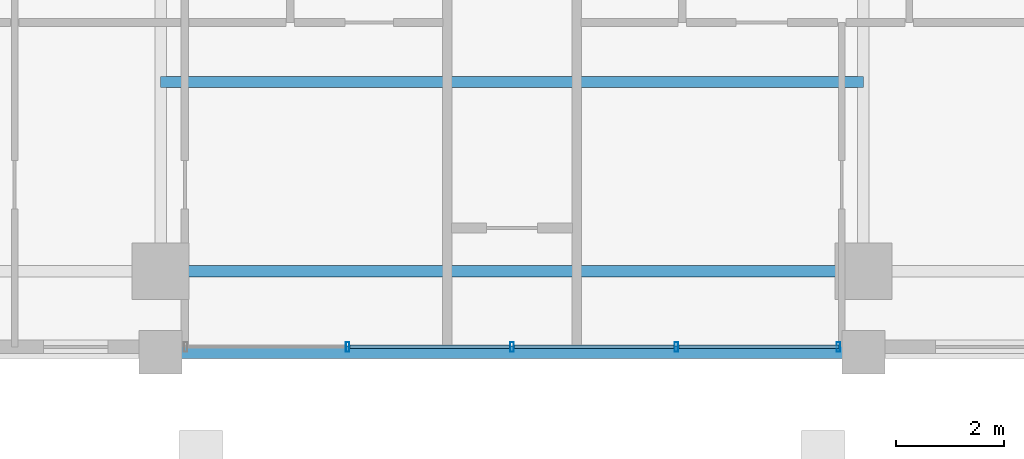
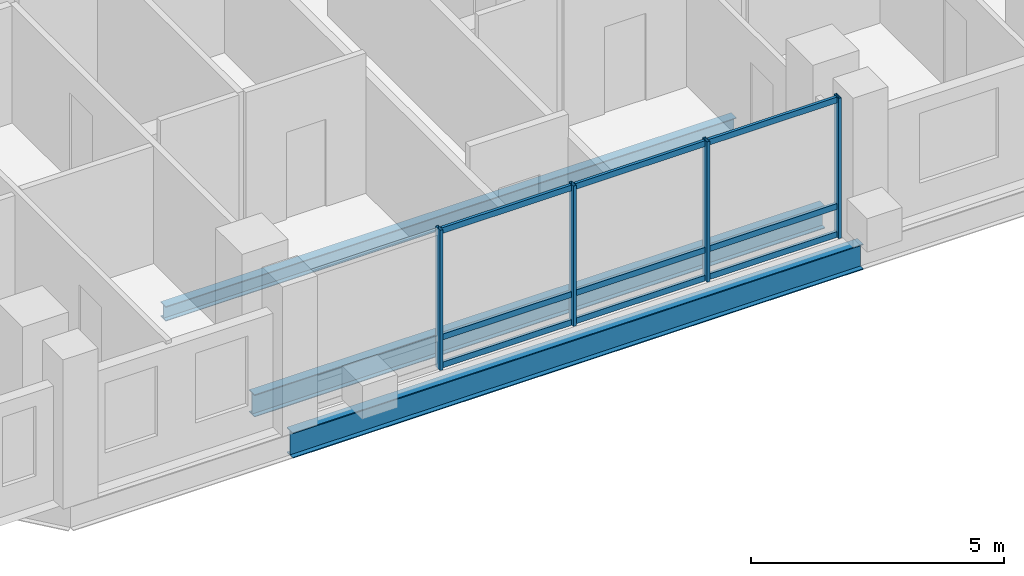
# One storey, part 4 of 24: 13 members, 3 beams, 1 element without a shape of its own.
"""IFC4 building model written with IfcOpenShell, lengths in metres."""

import ifcopenshell
import ifcopenshell.guid

model = None  # the IFC model being written
_history = None  # IfcOwnerHistory: only IFC2X3 demands one
_inside = {}  # id of a spatial element -> (the spatial element, [elements in it])
_under = {}  # id of a project, library or spatial element -> (it, [spatial elements below it])
_declared = {}  # id of a project -> (the project, [libraries it declares])
_typed = {}  # id of a type object -> (the type object, [elements of that type])
_made_of = {}  # id of a material, layer set ... -> (it, [elements and type objects made of it])


def new_model(schema):
    """Start an empty IFC model of exactly this schema.

    Asked for "IFC4X3", IfcOpenShell would pick the latest addendum, in which some entities
    have other attributes; the version numbers below select the first issue.
    IFC2X3 requires an IfcOwnerHistory on every rooted entity: one is made here for all.
    """
    global model, _history
    if schema == "IFC4X3":
        model = ifcopenshell.file(schema_version=(4, 3, 0, 0))
    else:
        model = ifcopenshell.file(schema=schema)
    _inside.clear()
    _under.clear()
    _declared.clear()
    _typed.clear()
    _made_of.clear()
    _history = None
    if model.schema == "IFC2X3":
        org = make("IfcOrganization", Name="unknown")
        user = make(
            "IfcPersonAndOrganization",
            ThePerson=make("IfcPerson", FamilyName="unknown"),
            TheOrganization=org,
        )
        app = make(
            "IfcApplication",
            ApplicationDeveloper=org,
            Version="unknown",
            ApplicationFullName="unknown",
            ApplicationIdentifier="unknown",
        )
        _history = make(
            "IfcOwnerHistory",
            OwningUser=user,
            OwningApplication=app,
            ChangeAction="ADDED",
            CreationDate=0,
        )
    return model


def make(cls, **values):
    """One entity of the class cls with the attributes given. An attribute that is None is left unset."""
    return model.create_entity(
        cls, **{name: value for name, value in values.items() if value is not None}
    )


def rooted(cls, **values):
    """An entity with a GlobalId (a new one), such as an element, a storey or a relation."""
    return make(cls, GlobalId=ifcopenshell.guid.new(), OwnerHistory=_history, **values)


def si_unit(unit_type, name, prefix=None):
    """IfcSIUnit, for example si_unit("LENGTHUNIT", "METRE", prefix="MILLI")."""
    return make("IfcSIUnit", UnitType=unit_type, Prefix=prefix, Name=name)


def assignment(units):
    """IfcUnitAssignment: the units of a project."""
    return None if units is None else make("IfcUnitAssignment", Units=units)


def point(xyz):
    """IfcCartesianPoint."""
    return None if xyz is None else make("IfcCartesianPoint", Coordinates=xyz)


def direction(xyz):
    """IfcDirection."""
    return None if xyz is None else make("IfcDirection", DirectionRatios=xyz)


def frame(location, z_axis=None, x_axis=None):
    """IfcAxis2Placement3D, a coordinate frame: its origin and axes. An axis left out is left unset."""
    return make(
        "IfcAxis2Placement3D",
        Location=point(location),
        Axis=direction(z_axis),
        RefDirection=direction(x_axis),
    )


def frame_2d(location, x_axis=None):
    """IfcAxis2Placement2D, a coordinate frame in the plane: its origin and x axis."""
    return make(
        "IfcAxis2Placement2D", Location=point(location), RefDirection=direction(x_axis)
    )


def origin():
    """The frame at (0, 0, 0) with its axes left unset."""
    return frame((0.0, 0.0, 0.0))


def origin_2d():
    """The frame at (0, 0) in the plane with its x axis left unset."""
    return frame_2d((0.0, 0.0))


def place(relative_to, where):
    """IfcLocalPlacement: puts the frame where relative to a parent placement (None: the world)."""
    return make(
        "IfcLocalPlacement", PlacementRelTo=relative_to, RelativePlacement=where
    )


def context(
    kind, dimensions, precision=None, world=None, true_north=None, identifier=None
):
    """IfcGeometricRepresentationContext, for example the 3D "Model" context."""
    return make(
        "IfcGeometricRepresentationContext",
        ContextIdentifier=identifier,
        ContextType=kind,
        CoordinateSpaceDimension=dimensions,
        Precision=precision,
        WorldCoordinateSystem=world,
        TrueNorth=true_north,
    )


def subcontext(parent, identifier, kind, view, scale=None):
    """IfcGeometricRepresentationSubContext, for example "Body" below "Model"."""
    return make(
        "IfcGeometricRepresentationSubContext",
        ContextIdentifier=identifier,
        ContextType=kind,
        ParentContext=parent,
        TargetScale=scale,
        TargetView=view,
    )


def project(units=None, contexts=None):
    """IfcProject with its units and contexts."""
    return rooted(
        "IfcProject",
        Name="project",
        RepresentationContexts=contexts,
        UnitsInContext=assignment(units),
    )


def spatial(cls, under=None, at=None, **own):
    """A site, building, storey or space (cls), placed at a placement, below another one or the project."""
    s = rooted(cls, ObjectPlacement=at, **own)
    if under is not None:
        _under.setdefault(under.id(), (under, []))[1].append(s)
    return s


def profile(cls, at=None, kind="AREA", **sizes):
    """A parametric profile (cls). Its sizes go by their IFC names, for example OverallWidth=200.0."""
    return make(cls, ProfileType=kind, Position=at, **sizes)


def hollow_rectangle(**sizes):
    """IfcRectangleHollowProfileDef."""
    return profile("IfcRectangleHollowProfileDef", **sizes)


def i_section(**sizes):
    """IfcIShapeProfileDef."""
    return profile("IfcIShapeProfileDef", **sizes)


def extrude(swept, where, along, depth):
    """IfcExtrudedAreaSolid: the profile swept, set in the frame where, extruded along a direction by depth."""
    return make(
        "IfcExtrudedAreaSolid",
        SweptArea=swept,
        Position=where,
        ExtrudedDirection=direction(along),
        Depth=depth,
    )


def shape(context_of_items, identifier, shape_type, items):
    """IfcShapeRepresentation: the items that make up one representation, for example the "Body"."""
    return make(
        "IfcShapeRepresentation",
        ContextOfItems=context_of_items,
        RepresentationIdentifier=identifier,
        RepresentationType=shape_type,
        Items=items,
    )


def material(Name=None, Category=None):
    """IfcMaterial."""
    return make("IfcMaterial", Name=Name, Category=Category)


def layer(
    of_material, thickness, ventilated=None, Name=None, Category=None, Priority=None
):
    """IfcMaterialLayer: one layer of a wall or slab, of a material (None: an air gap)."""
    return make(
        "IfcMaterialLayer",
        Material=of_material,
        LayerThickness=thickness,
        IsVentilated=ventilated,
        Name=Name,
        Category=Category,
        Priority=Priority,
    )


def layer_set(layers, Name=None):
    """IfcMaterialLayerSet."""
    return make("IfcMaterialLayerSet", MaterialLayers=layers, LayerSetName=Name)


def material_profile(
    of_material, cross_section, Name=None, Category=None, Priority=None
):
    """IfcMaterialProfile: a cross section and its material."""
    return make(
        "IfcMaterialProfile",
        Name=Name,
        Material=of_material,
        Profile=cross_section,
        Priority=Priority,
        Category=Category,
    )


def profile_set(profiles, Name=None, composite=None):
    """IfcMaterialProfileSet."""
    return make(
        "IfcMaterialProfileSet",
        Name=Name,
        MaterialProfiles=profiles,
        CompositeProfile=composite,
    )


def made_of(thing, what):
    """Note that an element or type object is made of a material, layer set ...; save() writes the relation."""
    if what is not None:
        _made_of.setdefault(what.id(), (what, []))[1].append(thing)
    return thing


def type_object(cls, material=None, **own):
    """A type object (cls), such as IfcWallType, which elements share."""
    return made_of(rooted(cls, **own), material)


def element(
    cls,
    number,
    at=None,
    inside=None,
    cuts=None,
    type_object=None,
    material=None,
    context=None,
    identifier="Body",
    shape_type=None,
    held_by="IfcProductDefinitionShape",
    body=None,
    shapes=None,
    **own,
):
    """One element of the class cls, such as IfcWall. Its Tag is "e" and its number.

    at: its placement. inside: the storey or other place that contains it. cuts: it is an
    opening in that element (IfcRelVoidsElement). A single representation is given by context,
    identifier, shape_type and body (its items); several are given by shapes. held_by: the class
    of the entity that holds the representations. save() writes the other relations.
    """
    e = rooted(cls, Tag="e%d" % number, ObjectPlacement=at, **own)
    if body is not None:
        shapes = [shape(context, identifier, shape_type, body)]
    if shapes is not None:
        e.Representation = make(held_by, Representations=shapes)
    if inside is not None:
        _inside.setdefault(inside.id(), (inside, []))[1].append(e)
    if cuts is not None:
        rooted(
            "IfcRelVoidsElement", RelatingBuildingElement=cuts, RelatedOpeningElement=e
        )
    if type_object is not None:
        _typed.setdefault(type_object.id(), (type_object, []))[1].append(e)
    return made_of(e, material)


def aggregate(whole, parts):
    """IfcRelAggregates: a whole, such as a stair, and the parts it consists of."""
    return rooted("IfcRelAggregates", RelatingObject=whole, RelatedObjects=parts)


def save(model, path):
    """Write the relations noted so far, then the file.

    IfcRelAggregates (storeys below a building ...), IfcRelContainedInSpatialStructure (elements
    in a storey), IfcRelDefinesByType, IfcRelAssociatesMaterial and IfcRelDeclares: one each for
    every whole, place, type object, material and project.
    """
    for whole, parts in _under.values():
        aggregate(whole, parts)
    for where, things in _inside.values():
        rooted(
            "IfcRelContainedInSpatialStructure",
            RelatedElements=things,
            RelatingStructure=where,
        )
    for kind, things in _typed.values():
        rooted("IfcRelDefinesByType", RelatedObjects=things, RelatingType=kind)
    for what, things in _made_of.values():
        rooted("IfcRelAssociatesMaterial", RelatedObjects=things, RelatingMaterial=what)
    for by, libraries in _declared.values():
        rooted("IfcRelDeclares", RelatingContext=by, RelatedDefinitions=libraries)
    model.write(path)


model = new_model("IFC4")

# Units and contexts
model_context = context("Model", 3, precision=1e-05, world=origin(), true_north=direction((0.0, 1.0)))
body_context = subcontext(model_context, "Body", "Model", "MODEL_VIEW")
ifc_project = project(units=[si_unit("LENGTHUNIT", "METRE"), si_unit("AREAUNIT", "SQUARE_METRE"), si_unit("VOLUMEUNIT", "CUBIC_METRE"), si_unit("PLANEANGLEUNIT", "RADIAN"), si_unit("MASSUNIT", "GRAM", prefix="KILO")], contexts=[model_context])

# Site, building, storey
site_placement = place(None, origin())
site = spatial("IfcSite", under=ifc_project, at=site_placement, CompositionType="ELEMENT")
building_placement = place(site_placement, origin())
building = spatial("IfcBuilding", under=site, at=building_placement, Name="Barlavira Tower and Art Museum", CompositionType="ELEMENT")
storey_placement = place(building_placement, frame((0.0, 0.0, 201.60009765625)))
storey = spatial("IfcBuildingStorey", under=building, at=storey_placement, Name="L52", CompositionType="ELEMENT", Elevation=201.60009765625)

# Curtain wall, members
ifc_material_1 = material(Name="Low-iron coastal laminated glass", Category="glass")
ifc_layer = layer(ifc_material_1, 0.199951171875, Name="Low-iron coastal laminated glass")
ifc_layer_set = layer_set([ifc_layer], Name="Low-iron coastal laminated glass")
curtain_wall_type = type_object("IfcCurtainWallType", Name="Pale-Metal Unitised Curtain Wall Zone 3", PredefinedType="NOTDEFINED", material=ifc_layer_set)
curtain_wall_placement = place(storey_placement, origin())
curtain_wall = element("IfcCurtainWall", 1, at=curtain_wall_placement, inside=storey, type_object=curtain_wall_type, Name="L52 Curtain Wall CW3-L52-S-B3", PredefinedType="NOTDEFINED")
ifc_material_2 = material(Name="Pale anodised aluminium", Category="aluminium")
ifc_material_profile_1 = material_profile(ifc_material_2, hollow_rectangle(XDim=0.06494140625, YDim=0.179931640625, WallThickness=0.00390625, at=origin_2d()), Name="ALU-MULL 65x180x4")
ifc_profile_set_1 = profile_set([ifc_material_profile_1], Name="Pale anodised aluminium")
member_type_1 = type_object("IfcMemberType", Name="Curtain Wall Pale-Metal Mullion 65x180", PredefinedType="MULLION", material=ifc_profile_set_1)
member_1_placement = place(storey_placement, frame((-3.0400390625, -21.39990234375, 0.0), z_axis=(0.0, 0.0, 1.0), x_axis=(1.0, 0.0, 0.0)))
member_1 = element("IfcMember", 2, at=member_1_placement, type_object=member_type_1, Name="CW3-L52-S-B3 Mullion 1", PredefinedType="MULLION", context=body_context, shape_type="SweptSolid", body=[
    extrude(hollow_rectangle(XDim=0.06494140625, YDim=0.179931640625, WallThickness=0.00390625, at=origin_2d()), origin(), (0.0, 0.0, 1.0), 3.3798828125),
])
member_2_placement = place(storey_placement, frame((0.0, -21.39990234375, 0.0), z_axis=(0.0, 0.0, 1.0), x_axis=(1.0, 0.0, 0.0)))
member_2 = element("IfcMember", 3, at=member_2_placement, type_object=member_type_1, Name="CW3-L52-S-B3 Mullion 2", PredefinedType="MULLION", context=body_context, shape_type="SweptSolid", body=[
    extrude(hollow_rectangle(XDim=0.06494140625, YDim=0.179931640625, WallThickness=0.00390625, at=origin_2d()), origin(), (0.0, 0.0, 1.0), 3.3798828125),
])
member_3_placement = place(storey_placement, frame((3.0400390625, -21.39990234375, 0.0), z_axis=(0.0, 0.0, 1.0), x_axis=(1.0, 0.0, 0.0)))
member_3 = element("IfcMember", 4, at=member_3_placement, type_object=member_type_1, Name="CW3-L52-S-B3 Mullion 3", PredefinedType="MULLION", context=body_context, shape_type="SweptSolid", body=[
    extrude(hollow_rectangle(XDim=0.06494140625, YDim=0.179931640625, WallThickness=0.00390625, at=origin_2d()), origin(), (0.0, 0.0, 1.0), 3.3798828125),
])
member_4_placement = place(storey_placement, frame((6.034912109375, -21.39990234375, 0.0), z_axis=(0.0, 0.0, 1.0), x_axis=(1.0, 0.0, 0.0)))
member_4 = element("IfcMember", 5, at=member_4_placement, type_object=member_type_1, Name="CW3-L52-S-B3 Mullion 4", PredefinedType="MULLION", context=body_context, shape_type="SweptSolid", body=[
    extrude(hollow_rectangle(XDim=0.06494140625, YDim=0.179931640625, WallThickness=0.00390625, at=origin_2d()), origin(), (0.0, 0.0, 1.0), 3.3798828125),
])
ifc_material_profile_2 = material_profile(ifc_material_2, hollow_rectangle(XDim=0.06494140625, YDim=0.139892578125, WallThickness=0.00390625, at=origin_2d()), Name="ALU-TRAN 65x140x4")
ifc_profile_set_2 = profile_set([ifc_material_profile_2], Name="Pale anodised aluminium")
member_type_2 = type_object("IfcMemberType", Name="Curtain Wall Pale-Metal Transom 65x140", PredefinedType="USERDEFINED", material=ifc_profile_set_2)
member_5_placement = place(storey_placement, frame((-2.9951171875, -21.39990234375, 0.06982421875), z_axis=(1.0, 0.0, 0.0), x_axis=(0.0, 1.0, 0.0)))
member_5 = element("IfcMember", 6, at=member_5_placement, type_object=member_type_2, Name="CW3-L52-S-B3 Transom 1.1", ObjectType="TRANSOM", PredefinedType="USERDEFINED", context=body_context, shape_type="SweptSolid", body=[
    extrude(hollow_rectangle(XDim=0.06494140625, YDim=0.139892578125, WallThickness=0.00390625, at=origin_2d()), origin(), (0.0, 0.0, 1.0), 2.9501953125),
])
member_6_placement = place(storey_placement, frame((-2.9951171875, -21.39990234375, 0.743896484375), z_axis=(1.0, 0.0, 0.0), x_axis=(0.0, 1.0, 0.0)))
member_6 = element("IfcMember", 7, at=member_6_placement, type_object=member_type_2, Name="CW3-L52-S-B3 Transom 1.2", ObjectType="TRANSOM", PredefinedType="USERDEFINED", context=body_context, shape_type="SweptSolid", body=[
    extrude(hollow_rectangle(XDim=0.06494140625, YDim=0.139892578125, WallThickness=0.00390625, at=origin_2d()), origin(), (0.0, 0.0, 1.0), 2.9501953125),
])
member_7_placement = place(storey_placement, frame((-2.9951171875, -21.39990234375, 3.309814453125), z_axis=(1.0, 0.0, 0.0), x_axis=(0.0, 1.0, 0.0)))
member_7 = element("IfcMember", 8, at=member_7_placement, type_object=member_type_2, Name="CW3-L52-S-B3 Transom 1.3", ObjectType="TRANSOM", PredefinedType="USERDEFINED", context=body_context, shape_type="SweptSolid", body=[
    extrude(hollow_rectangle(XDim=0.06494140625, YDim=0.139892578125, WallThickness=0.00390625, at=origin_2d()), origin(), (0.0, 0.0, 1.0), 2.9501953125),
])
member_8_placement = place(storey_placement, frame((0.044921875, -21.39990234375, 0.06982421875), z_axis=(1.0, 0.0, 0.0), x_axis=(0.0, 1.0, 0.0)))
member_8 = element("IfcMember", 9, at=member_8_placement, type_object=member_type_2, Name="CW3-L52-S-B3 Transom 2.1", ObjectType="TRANSOM", PredefinedType="USERDEFINED", context=body_context, shape_type="SweptSolid", body=[
    extrude(hollow_rectangle(XDim=0.06494140625, YDim=0.139892578125, WallThickness=0.00390625, at=origin_2d()), origin(), (0.0, 0.0, 1.0), 2.9501953125),
])
member_9_placement = place(storey_placement, frame((0.044921875, -21.39990234375, 0.743896484375), z_axis=(1.0, 0.0, 0.0), x_axis=(0.0, 1.0, 0.0)))
member_9 = element("IfcMember", 10, at=member_9_placement, type_object=member_type_2, Name="CW3-L52-S-B3 Transom 2.2", ObjectType="TRANSOM", PredefinedType="USERDEFINED", context=body_context, shape_type="SweptSolid", body=[
    extrude(hollow_rectangle(XDim=0.06494140625, YDim=0.139892578125, WallThickness=0.00390625, at=origin_2d()), origin(), (0.0, 0.0, 1.0), 2.9501953125),
])
member_10_placement = place(storey_placement, frame((0.044921875, -21.39990234375, 3.309814453125), z_axis=(1.0, 0.0, 0.0), x_axis=(0.0, 1.0, 0.0)))
member_10 = element("IfcMember", 11, at=member_10_placement, type_object=member_type_2, Name="CW3-L52-S-B3 Transom 2.3", ObjectType="TRANSOM", PredefinedType="USERDEFINED", context=body_context, shape_type="SweptSolid", body=[
    extrude(hollow_rectangle(XDim=0.06494140625, YDim=0.139892578125, WallThickness=0.00390625, at=origin_2d()), origin(), (0.0, 0.0, 1.0), 2.9501953125),
])
member_11_placement = place(storey_placement, frame((3.0849609375, -21.39990234375, 0.06982421875), z_axis=(1.0, 0.0, 0.0), x_axis=(0.0, 1.0, 0.0)))
member_11 = element("IfcMember", 12, at=member_11_placement, type_object=member_type_2, Name="CW3-L52-S-B3 Transom 3.1", ObjectType="TRANSOM", PredefinedType="USERDEFINED", context=body_context, shape_type="SweptSolid", body=[
    extrude(hollow_rectangle(XDim=0.06494140625, YDim=0.139892578125, WallThickness=0.00390625, at=origin_2d()), origin(), (0.0, 0.0, 1.0), 2.949951171875),
])
member_12_placement = place(storey_placement, frame((3.0849609375, -21.39990234375, 0.743896484375), z_axis=(1.0, 0.0, 0.0), x_axis=(0.0, 1.0, 0.0)))
member_12 = element("IfcMember", 13, at=member_12_placement, type_object=member_type_2, Name="CW3-L52-S-B3 Transom 3.2", ObjectType="TRANSOM", PredefinedType="USERDEFINED", context=body_context, shape_type="SweptSolid", body=[
    extrude(hollow_rectangle(XDim=0.06494140625, YDim=0.139892578125, WallThickness=0.00390625, at=origin_2d()), origin(), (0.0, 0.0, 1.0), 2.949951171875),
])
member_13_placement = place(storey_placement, frame((3.0849609375, -21.39990234375, 3.309814453125), z_axis=(1.0, 0.0, 0.0), x_axis=(0.0, 1.0, 0.0)))
member_13 = element("IfcMember", 14, at=member_13_placement, type_object=member_type_2, Name="CW3-L52-S-B3 Transom 3.3", ObjectType="TRANSOM", PredefinedType="USERDEFINED", context=body_context, shape_type="SweptSolid", body=[
    extrude(hollow_rectangle(XDim=0.06494140625, YDim=0.139892578125, WallThickness=0.00390625, at=origin_2d()), origin(), (0.0, 0.0, 1.0), 2.949951171875),
])
aggregate(curtain_wall, [member_1, member_2, member_3, member_4, member_5, member_6, member_7, member_8, member_9, member_10, member_11, member_12, member_13])

# Beams
ifc_material_3 = material(Name="Steel S355", Category="steel")
ifc_material_profile_3 = material_profile(ifc_material_3, i_section(OverallWidth=0.22998046875, OverallDepth=0.616943359375, WebThickness=0.01318359375, FlangeThickness=0.022216796875, at=origin_2d()), Name="W610x140.0")
ifc_profile_set_3 = profile_set([ifc_material_profile_3], Name="Steel S355")
beam_type_1 = type_object("IfcBeamType", Name="Upper Shaft Spandrel Edge Beam W610x140 Steel S355", PredefinedType="SPANDREL", material=ifc_profile_set_3)
beam_1_placement = place(storey_placement, frame((-6.5, -21.5, -0.528564453125), z_axis=(1.0, 0.0, 0.0), x_axis=(0.0, 1.0, 0.0)))
element("IfcBeam", 15, at=beam_1_placement, inside=storey, type_object=beam_type_1, Name="L52 Spandrel 2", PredefinedType="SPANDREL", context=body_context, shape_type="SweptSolid", body=[
    extrude(i_section(OverallWidth=0.22998046875, OverallDepth=0.616943359375, WebThickness=0.01318359375, FlangeThickness=0.022216796875, at=origin_2d()), origin(), (0.0, 0.0, 1.0), 13.0),
])
ifc_material_profile_4 = material_profile(ifc_material_3, i_section(OverallWidth=0.205078125, OverallDepth=0.35400390625, WebThickness=0.009521484375, FlangeThickness=0.016845703125, at=origin_2d()), Name="W360x79.0")
ifc_profile_set_4 = profile_set([ifc_material_profile_4], Name="Steel S355")
beam_type_2 = type_object("IfcBeamType", Name="Zone 3 Composite Floor Joist W360x79 Steel S355", PredefinedType="JOIST", material=ifc_profile_set_4)
beam_2_placement = place(storey_placement, frame((-6.5, -16.5, -0.397216796875), z_axis=(1.0, 0.0, 0.0), x_axis=(0.0, 1.0, 0.0)))
element("IfcBeam", 16, at=beam_2_placement, inside=storey, type_object=beam_type_2, Name="L52 Joist C1", PredefinedType="JOIST", context=body_context, shape_type="SweptSolid", body=[
    extrude(i_section(OverallWidth=0.205078125, OverallDepth=0.35400390625, WebThickness=0.009521484375, FlangeThickness=0.016845703125, at=origin_2d()), origin(), (0.0, 0.0, 1.0), 13.0),
])
ifc_material_profile_5 = material_profile(ifc_material_3, i_section(OverallWidth=0.2109375, OverallDepth=0.5390625, WebThickness=0.01171875, FlangeThickness=0.018798828125, at=origin_2d()), Name="W530x109.0")
ifc_profile_set_5 = profile_set([ifc_material_profile_5], Name="Steel S355")
beam_type_3 = type_object("IfcBeamType", Name="Zone 3-4 Primary Floor Girder W530x109 Steel S355", PredefinedType="BEAM", material=ifc_profile_set_5)
beam_3_placement = place(storey_placement, frame((-6.5, -20.0, -0.489501953125), z_axis=(1.0, 0.0, 0.0), x_axis=(0.0, 1.0, 0.0)))
element("IfcBeam", 17, at=beam_3_placement, inside=storey, type_object=beam_type_3, Name="L52 Girder M-S2", PredefinedType="BEAM", context=body_context, shape_type="SweptSolid", body=[
    extrude(i_section(OverallWidth=0.2109375, OverallDepth=0.5390625, WebThickness=0.01171875, FlangeThickness=0.018798828125, at=origin_2d()), origin(), (0.0, 0.0, 1.0), 13.0),
])

save(model, "model.ifc")
